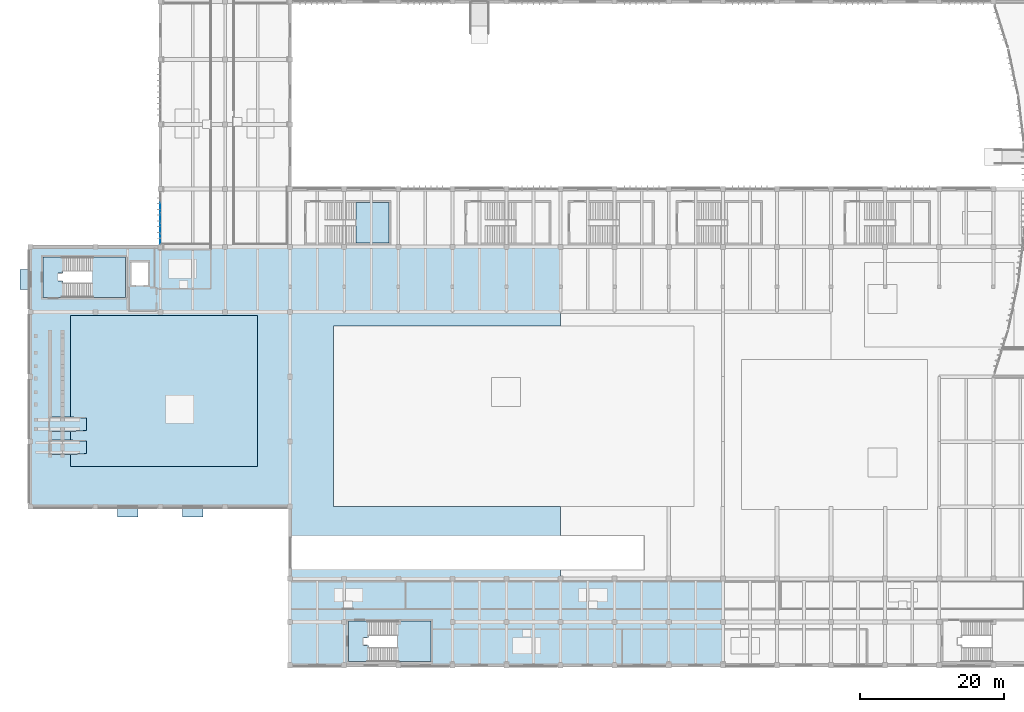
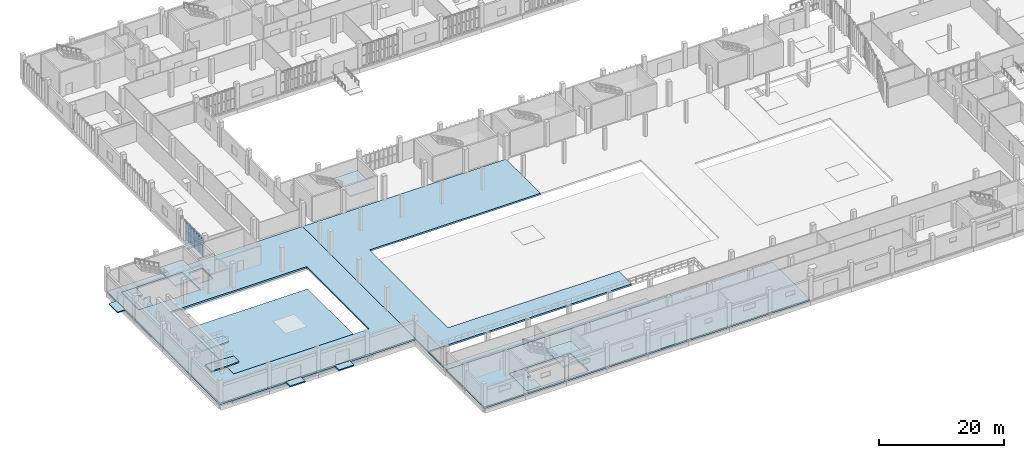
# One storey, part 34 of 72: 14 slabs, 8 plates, 4 elements without a shape of their own.
"""IFC4 building model written with IfcOpenShell, lengths in metres."""

from ifc_helpers import new_model, si_unit, direction, frame, origin, origin_2d, place, context, subcontext, project, spatial, polyline, rectangle, outline, extrude, material, layer, layer_set, type_object, element, aggregate, save


model = new_model("IFC4")

# Units and contexts
model_context = context("Model", 3, precision=1e-05, world=origin(), true_north=direction((0.0, 1.0)))
body_context = subcontext(model_context, "Body", "Model", "MODEL_VIEW")
ifc_project = project(units=[si_unit("LENGTHUNIT", "METRE"), si_unit("AREAUNIT", "SQUARE_METRE"), si_unit("VOLUMEUNIT", "CUBIC_METRE"), si_unit("PLANEANGLEUNIT", "RADIAN"), si_unit("MASSUNIT", "GRAM", prefix="KILO")], contexts=[model_context])

# Site, building, storey
site_placement = place(None, origin())
site = spatial("IfcSite", under=ifc_project, at=site_placement, CompositionType="ELEMENT")
building_placement = place(site_placement, origin())
building = spatial("IfcBuilding", under=site, at=building_placement, Name="Vourika Railside Aquatics Centre", CompositionType="ELEMENT")
storey_placement = place(building_placement, origin())
storey = spatial("IfcBuildingStorey", under=building, at=storey_placement, Name="L00", CompositionType="ELEMENT", Elevation=0.0)

# Curtain wall, plates
ifc_material_1 = material(Name="Anodized thermally broken aluminium", Category="aluminium")
curtain_wall_type = type_object("IfcCurtainWallType", Name="CW-FIT0", PredefinedType="NOTDEFINED", material=ifc_material_1)
curtain_wall_placement = place(storey_placement, origin())
curtain_wall = element("IfcCurtainWall", 1, at=curtain_wall_placement, inside=storey, type_object=curtain_wall_type, Name="Fitness West Boulevard Curtain Wall L00-1", PredefinedType="NOTDEFINED")
ifc_material_2 = material(Name="Low-E solar-control laminated double glazing", Category="glass")
ifc_layer_1 = layer(ifc_material_2, 0.031982421875, Name="CWP-FIT0")
ifc_layer_set_1 = layer_set([ifc_layer_1], Name="Low-E solar-control laminated double glazing")
plate_type = type_object("IfcPlateType", Name="CWP-FIT0", PredefinedType="CURTAIN_PANEL", material=ifc_layer_set_1)
plate_1_placement = place(storey_placement, frame((18.0, 63.447998046875, 0.06494140625), z_axis=(0.0, 0.0, 1.0), x_axis=(0.0, -1.0, 0.0)))
plate_1 = element("IfcPlate", 2, at=plate_1_placement, type_object=plate_type, Name="CW14 panel 2.1", PredefinedType="CURTAIN_PANEL", context=body_context, shape_type="SweptSolid", body=[
    extrude(rectangle(XDim=1.383056640625, YDim=0.031982421875, at=origin_2d()), origin(), (0.0, 0.0, 1.0), 1.767578125),
])
plate_2_placement = place(storey_placement, frame((18.0, 63.447998046875, 1.8974609375), z_axis=(0.0, 0.0, 1.0), x_axis=(0.0, -1.0, 0.0)))
plate_2 = element("IfcPlate", 3, at=plate_2_placement, type_object=plate_type, Name="CW14 panel 2.2", PredefinedType="CURTAIN_PANEL", context=body_context, shape_type="SweptSolid", body=[
    extrude(rectangle(XDim=1.383056640625, YDim=0.031982421875, at=origin_2d()), origin(), (0.0, 0.0, 1.0), 1.767578125),
])
plate_3_placement = place(storey_placement, frame((18.0, 62.0, 0.06494140625), z_axis=(0.0, 0.0, 1.0), x_axis=(0.0, -1.0, 0.0)))
plate_3 = element("IfcPlate", 4, at=plate_3_placement, type_object=plate_type, Name="CW14 panel 3.1", PredefinedType="CURTAIN_PANEL", context=body_context, shape_type="SweptSolid", body=[
    extrude(rectangle(XDim=1.383056640625, YDim=0.031982421875, at=origin_2d()), origin(), (0.0, 0.0, 1.0), 1.767578125),
])
plate_4_placement = place(storey_placement, frame((18.0, 62.0, 1.8974609375), z_axis=(0.0, 0.0, 1.0), x_axis=(0.0, -1.0, 0.0)))
plate_4 = element("IfcPlate", 5, at=plate_4_placement, type_object=plate_type, Name="CW14 panel 3.2", PredefinedType="CURTAIN_PANEL", context=body_context, shape_type="SweptSolid", body=[
    extrude(rectangle(XDim=1.383056640625, YDim=0.031982421875, at=origin_2d()), origin(), (0.0, 0.0, 1.0), 1.767578125),
])
plate_5_placement = place(storey_placement, frame((18.0, 60.552001953125, 0.06494140625), z_axis=(0.0, 0.0, 1.0), x_axis=(0.0, -1.0, 0.0)))
plate_5 = element("IfcPlate", 6, at=plate_5_placement, type_object=plate_type, Name="CW14 panel 4.1", PredefinedType="CURTAIN_PANEL", context=body_context, shape_type="SweptSolid", body=[
    extrude(rectangle(XDim=1.383056640625, YDim=0.031982421875, at=origin_2d()), origin(), (0.0, 0.0, 1.0), 1.767578125),
])
plate_6_placement = place(storey_placement, frame((18.0, 60.552001953125, 1.8974609375), z_axis=(0.0, 0.0, 1.0), x_axis=(0.0, -1.0, 0.0)))
plate_6 = element("IfcPlate", 7, at=plate_6_placement, type_object=plate_type, Name="CW14 panel 4.2", PredefinedType="CURTAIN_PANEL", context=body_context, shape_type="SweptSolid", body=[
    extrude(rectangle(XDim=1.383056640625, YDim=0.031982421875, at=origin_2d()), origin(), (0.0, 0.0, 1.0), 1.767578125),
])
plate_7_placement = place(storey_placement, frame((18.0, 59.120361328125, 0.06494140625), z_axis=(0.0, 0.0, 1.0), x_axis=(0.0, -1.0, 0.0)))
plate_7 = element("IfcPlate", 8, at=plate_7_placement, type_object=plate_type, Name="CW14 panel 5.1", PredefinedType="CURTAIN_PANEL", context=body_context, shape_type="SweptSolid", body=[
    extrude(rectangle(XDim=1.3505859375, YDim=0.031982421875, at=origin_2d()), origin(), (0.0, 0.0, 1.0), 1.767578125),
])
plate_8_placement = place(storey_placement, frame((18.0, 59.120361328125, 1.8974609375), z_axis=(0.0, 0.0, 1.0), x_axis=(0.0, -1.0, 0.0)))
plate_8 = element("IfcPlate", 9, at=plate_8_placement, type_object=plate_type, Name="CW14 panel 5.2", PredefinedType="CURTAIN_PANEL", context=body_context, shape_type="SweptSolid", body=[
    extrude(rectangle(XDim=1.3505859375, YDim=0.031982421875, at=origin_2d()), origin(), (0.0, 0.0, 1.0), 1.767578125),
])
aggregate(curtain_wall, [plate_1, plate_2, plate_3, plate_4, plate_5, plate_6, plate_7, plate_8])

# Slabs
ifc_material_3 = material(Name="Concrete C35/45", Category="concrete")
ifc_layer_2 = layer(ifc_material_3, 0.2099609375, Name="SLB-APRON-210E")
ifc_layer_set_2 = layer_set([ifc_layer_2], Name="Concrete C35/45")
slab_type_1 = type_object("IfcSlabType", Name="SLB-APRON-210E", PredefinedType="FLOOR", material=ifc_layer_set_2)
slab_1_placement = place(storey_placement, frame((0.0, 0.0, -0.2099609375)))
element("IfcSlab", 10, at=slab_1_placement, inside=storey, type_object=slab_type_1, Name="Exterior Entrance Threshold Apron V2W_3", PredefinedType="FLOOR", context=body_context, shape_type="SweptSolid", body=[
    extrude(outline(polyline([(-1.449951171875, 52.10009765625), (-0.050048828125, 52.10009765625), (-0.050048828125, 54.89990234375), (-1.449951171875, 54.89990234375), (-1.449951171875, 52.10009765625)])), origin(), (0.0, 0.0, 1.0), 0.2099609375),
])
slab_2_placement = place(storey_placement, frame((0.0, 0.0, -0.2099609375)))
element("IfcSlab", 11, at=slab_2_placement, inside=storey, type_object=slab_type_1, Name="Exterior Entrance Threshold Apron V2S_1", PredefinedType="FLOOR", context=body_context, shape_type="SweptSolid", body=[
    extrude(outline(polyline([(12.10009765625, 20.550048828125), (14.89990234375, 20.550048828125), (14.89990234375, 21.949951171875), (12.10009765625, 21.949951171875), (12.10009765625, 20.550048828125)])), origin(), (0.0, 0.0, 1.0), 0.2099609375),
])
slab_3_placement = place(storey_placement, frame((0.0, 0.0, -0.2099609375)))
element("IfcSlab", 12, at=slab_3_placement, inside=storey, type_object=slab_type_1, Name="Exterior Entrance Threshold Apron V2S_2", PredefinedType="FLOOR", context=body_context, shape_type="SweptSolid", body=[
    extrude(outline(polyline([(21.10009765625, 20.550048828125), (23.89990234375, 20.550048828125), (23.89990234375, 21.949951171875), (21.10009765625, 21.949951171875), (21.10009765625, 20.550048828125)])), origin(), (0.0, 0.0, 1.0), 0.2099609375),
])
ifc_material_4 = material(Name="Concrete C40/50", Category="concrete")
ifc_layer_3 = layer(ifc_material_4, 0.320068359375, Name="SLB-CONC-320")
ifc_layer_set_3 = layer_set([ifc_layer_3], Name="Concrete C40/50")
slab_type_2 = type_object("IfcSlabType", Name="SLB-CONC-320", PredefinedType="FLOOR", material=ifc_layer_set_3)
slab_4_placement = place(storey_placement, frame((0.0, 0.0, -0.320068359375)))
element("IfcSlab", 13, at=slab_4_placement, inside=storey, type_object=slab_type_2, Name="L00 Floor Slab (v2_west)", PredefinedType="FLOOR", context=body_context, shape_type="SweptSolid", body=[
    extrude(outline(polyline([(0.0, 22.0), (0.0, 58.0), (36.0, 58.0), (36.0, 22.0), (0.0, 22.0)]), holes=[polyline([(31.0, 48.0), (6.0, 48.0), (6.0, 28.0), (31.0, 28.0), (31.0, 48.0)]), polyline([(13.14990234375, 56.60009765625), (1.75, 56.60009765625), (1.75, 51.0), (13.14990234375, 51.0), (13.14990234375, 56.60009765625)]), polyline([(16.449951171875, 56.0), (13.85009765625, 56.0), (13.85009765625, 52.60009765625), (16.449951171875, 52.60009765625), (16.449951171875, 56.0)])]), origin(), (0.0, 0.0, 1.0), 0.320068359375),
])
slab_5_placement = place(storey_placement, frame((0.0, 0.0, -0.320068359375)))
element("IfcSlab", 14, at=slab_5_placement, inside=storey, type_object=slab_type_2, Name="L00 Floor Slab (v1_comp_w)", PredefinedType="FLOOR", context=body_context, shape_type="SweptSolid", body=[
    extrude(outline(polyline([(73.5, 12.0), (36.0, 12.0), (36.0, 58.0), (73.5, 58.0), (73.5, 47.0), (42.0, 47.0), (42.0, 22.0), (73.5, 22.0), (73.5, 17.89990234375), (36.199951171875, 17.89990234375), (36.199951171875, 13.300048828125), (73.5, 13.300048828125), (73.5, 12.0)])), origin(), (0.0, 0.0, 1.0), 0.320068359375),
])
ifc_layer_4 = layer(ifc_material_3, 0.31005859375, Name="SLB-CORE-310")
ifc_layer_set_4 = layer_set([ifc_layer_4], Name="Concrete C35/45")
slab_type_3 = type_object("IfcSlabType", Name="SLB-CORE-310", PredefinedType="FLOOR", material=ifc_layer_set_4)
slab_6_placement = place(storey_placement, frame((0.0, 0.0, -0.31005859375)))
element("IfcSlab", 15, at=slab_6_placement, inside=storey, type_object=slab_type_3, Name="Protected Exit Stair Core ST04 Core Floor Landing (L00)", PredefinedType="FLOOR", context=body_context, shape_type="SweptSolid", body=[
    extrude(outline(polyline([(1.75, 51.0), (4.489990234375, 51.0), (4.489990234375, 53.25), (3.800048828125, 53.25), (3.800048828125, 54.35009765625), (4.489990234375, 54.35009765625), (4.489990234375, 56.60009765625), (1.75, 56.60009765625), (1.75, 51.0)])), origin(), (0.0, 0.0, 1.0), 0.31005859375),
])
slab_7_placement = place(storey_placement, frame((0.0, 0.0, -0.31005859375)))
element("IfcSlab", 16, at=slab_7_placement, inside=storey, type_object=slab_type_3, Name="Protected Exit Stair Core ST11 Core Floor Landing (L00)", PredefinedType="FLOOR", context=body_context, shape_type="SweptSolid", body=[
    extrude(outline(polyline([(44.10009765625, 0.5), (46.840087890625, 0.5), (46.840087890625, 2.75), (46.14990234375, 2.75), (46.14990234375, 3.85009765625), (46.840087890625, 3.85009765625), (46.840087890625, 6.10009765625), (44.10009765625, 6.10009765625), (44.10009765625, 0.5)])), origin(), (0.0, 0.0, 1.0), 0.31005859375),
])
ifc_layer_5 = layer(ifc_material_4, 0.25, Name="SLB-DP-250")
ifc_layer_set_5 = layer_set([ifc_layer_5], Name="Concrete C40/50")
slab_type_4 = type_object("IfcSlabType", Name="SLB-DP-250", PredefinedType="USERDEFINED", material=ifc_layer_set_5)
slab_8_placement = place(storey_placement, frame((0.0, 0.0, 0.75)))
element("IfcSlab", 17, at=slab_8_placement, inside=storey, type_object=slab_type_4, Name="Diving Platform 1.0 m", ObjectType="DIVING PLATFORM", PredefinedType="USERDEFINED", context=body_context, shape_type="SweptSolid", body=[
    extrude(outline(polyline([(2.60009765625, 29.199951171875), (5.800048828125, 29.199951171875), (7.800048828125, 29.35009765625), (7.800048828125, 31.050048828125), (5.800048828125, 31.199951171875), (2.60009765625, 31.199951171875), (2.60009765625, 29.199951171875)])), origin(), (0.0, 0.0, 1.0), 0.25),
])
ifc_layer_6 = layer(ifc_material_4, 0.2900390625, Name="SLB-DP-290")
ifc_layer_set_6 = layer_set([ifc_layer_6], Name="Concrete C40/50")
slab_type_5 = type_object("IfcSlabType", Name="SLB-DP-290", PredefinedType="USERDEFINED", material=ifc_layer_set_6)
slab_9_placement = place(storey_placement, frame((0.0, 0.0, 2.7099609375)))
element("IfcSlab", 18, at=slab_9_placement, inside=storey, type_object=slab_type_5, Name="Diving Platform 3.0 m", ObjectType="DIVING PLATFORM", PredefinedType="USERDEFINED", context=body_context, shape_type="SweptSolid", body=[
    extrude(outline(polyline([(2.60009765625, 32.39990234375), (5.800048828125, 32.39990234375), (7.800048828125, 32.550048828125), (7.800048828125, 34.25), (5.800048828125, 34.39990234375), (2.60009765625, 34.39990234375), (2.60009765625, 32.39990234375)])), origin(), (0.0, 0.0, 1.0), 0.2900390625),
])
ifc_layer_7 = layer(ifc_material_3, 0.300048828125, Name="SLB-FLOOR-300")
ifc_layer_set_7 = layer_set([ifc_layer_7], Name="Concrete C35/45")
slab_type_6 = type_object("IfcSlabType", Name="SLB-FLOOR-300", PredefinedType="FLOOR", material=ifc_layer_set_7)
slab_10_placement = place(storey_placement, frame((0.0, 0.0, -0.300048828125)))
element("IfcSlab", 19, at=slab_10_placement, inside=storey, type_object=slab_type_6, Name="L00 Floor Slab (v4_south_w)", PredefinedType="FLOOR", context=body_context, shape_type="SweptSolid", body=[
    extrude(outline(polyline([(36.0, 0.0), (36.0, 12.0), (96.0, 12.0), (96.0, 0.0), (36.0, 0.0)]), holes=[polyline([(44.10009765625, 6.10009765625), (44.10009765625, 0.5), (55.5, 0.5), (55.5, 6.10009765625), (44.10009765625, 6.10009765625)])]), origin(), (0.0, 0.0, 1.0), 0.300048828125),
])

# Stair, slab
stair_type_1 = type_object("IfcStairType", Name="STR-VOM-L00", PredefinedType="TWO_STRAIGHT_RUN_STAIR", material=ifc_material_3)
stair_1_placement = place(storey_placement, origin())
stair_1 = element("IfcStair", 20, at=stair_1_placement, inside=storey, type_object=stair_type_1, Name="Grandstand Vomitory Exit Stair ST07", PredefinedType="TWO_STRAIGHT_RUN_STAIR")
ifc_layer_8 = layer(ifc_material_3, 0.199951171875, Name="SLB-LND-200")
ifc_layer_set_8 = layer_set([ifc_layer_8], Name="Concrete C35/45")
slab_type_7 = type_object("IfcSlabType", Name="SLB-LND-200", PredefinedType="LANDING", material=ifc_layer_set_8)
slab_11_placement = place(storey_placement, frame((0.0, 0.0, 2.199951171875)))
slab_11 = element("IfcSlab", 21, at=slab_11_placement, type_object=slab_type_7, Name="STV-1 landing 1", PredefinedType="LANDING", context=body_context, shape_type="SweptSolid", body=[
    extrude(outline(polyline([(45.1201171875, 58.550048828125), (49.699951171875, 58.550048828125), (49.699951171875, 64.14990234375), (45.1201171875, 64.14990234375), (45.1201171875, 58.550048828125)])), origin(), (0.0, 0.0, 1.0), 0.199951171875),
])
aggregate(stair_1, [slab_11])

stair_type_2 = type_object("IfcStairType", Name="STR-CORE-L00", PredefinedType="TWO_STRAIGHT_RUN_STAIR", material=ifc_material_3)
stair_2_placement = place(storey_placement, origin())
stair_2 = element("IfcStair", 22, at=stair_2_placement, inside=storey, type_object=stair_type_2, Name="Protected Exit Stair Core ST04 (L00)", PredefinedType="TWO_STRAIGHT_RUN_STAIR")
ifc_layer_9 = layer(ifc_material_3, 0.31005859375, Name="SLB-LND-310")
ifc_layer_set_9 = layer_set([ifc_layer_9], Name="Concrete C35/45")
slab_type_8 = type_object("IfcSlabType", Name="SLB-LND-310", PredefinedType="LANDING", material=ifc_layer_set_9)
slab_12_placement = place(storey_placement, frame((0.0, 0.0, 2.090087890625)))
slab_12 = element("IfcSlab", 23, at=slab_12_placement, type_object=slab_type_8, Name="STC-L00 landing 1", PredefinedType="LANDING", context=body_context, shape_type="SweptSolid", body=[
    extrude(outline(polyline([(8.52197265625, 51.0), (13.14990234375, 51.0), (13.14990234375, 56.60009765625), (8.52197265625, 56.60009765625), (8.52197265625, 51.0)])), origin(), (0.0, 0.0, 1.0), 0.309814453125),
])
aggregate(stair_2, [slab_12])

stair_3_placement = place(storey_placement, origin())
stair_3 = element("IfcStair", 24, at=stair_3_placement, inside=storey, type_object=stair_type_2, Name="Protected Exit Stair Core ST11 (L00)", PredefinedType="TWO_STRAIGHT_RUN_STAIR")
slab_13_placement = place(storey_placement, frame((0.0, 0.0, 2.090087890625)))
slab_13 = element("IfcSlab", 25, at=slab_13_placement, type_object=slab_type_8, Name="STC-L00 landing 1", PredefinedType="LANDING", context=body_context, shape_type="SweptSolid", body=[
    extrude(outline(polyline([(50.8720703125, 0.5), (55.5, 0.5), (55.5, 6.10009765625), (50.8720703125, 6.10009765625), (50.8720703125, 0.5)])), origin(), (0.0, 0.0, 1.0), 0.309814453125),
])
aggregate(stair_3, [slab_13])

# Slab
ifc_layer_10 = layer(ifc_material_4, 0.580078125, Name="SLB-POOL-580")
ifc_layer_set_10 = layer_set([ifc_layer_10], Name="Concrete C40/50")
slab_type_9 = type_object("IfcSlabType", Name="SLB-POOL-580", PredefinedType="FLOOR", material=ifc_layer_set_10)
slab_14_placement = place(storey_placement, frame((0.0, 0.0, -5.3798828125)))
element("IfcSlab", 26, at=slab_14_placement, inside=storey, type_object=slab_type_9, Name="Diving Pool Tank Slab", PredefinedType="FLOOR", context=body_context, shape_type="SweptSolid", body=[
    extrude(outline(polyline([(5.52001953125, 27.52001953125), (31.47998046875, 27.52001953125), (31.47998046875, 48.47998046875), (5.52001953125, 48.47998046875), (5.52001953125, 27.52001953125)])), origin(), (0.0, 0.0, 1.0), 0.579833984375),
])

save(model, "model.ifc")
